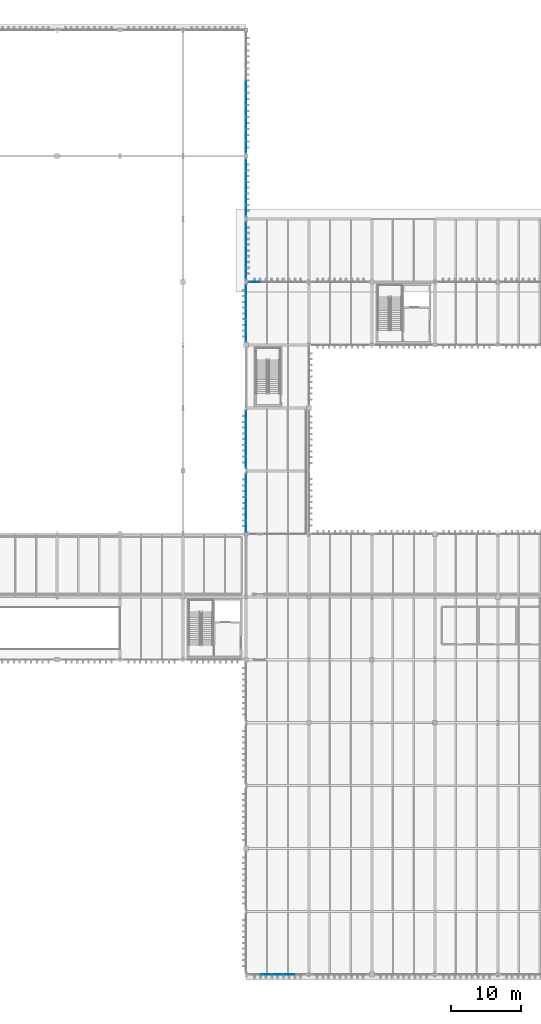
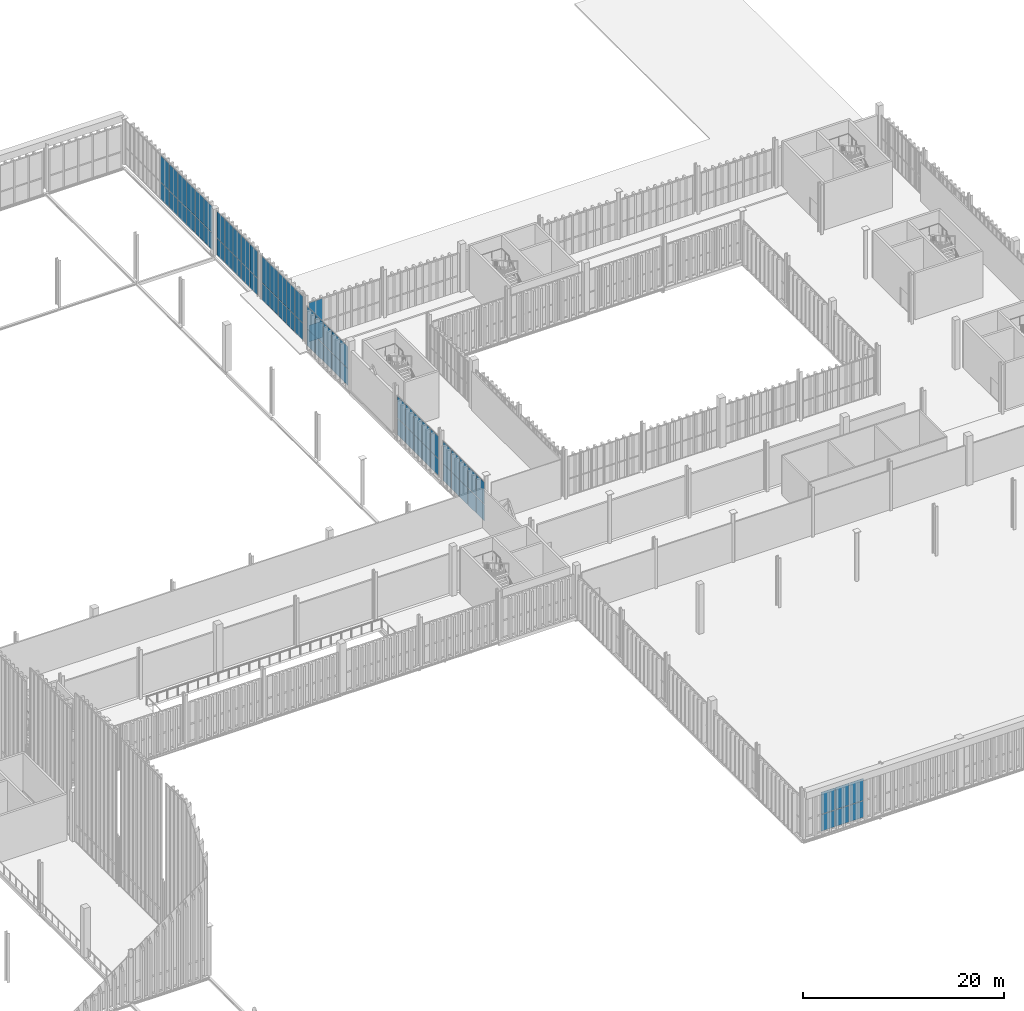
# One storey, part 188 of 237: 70 plates, 8 elements without a shape of their own.
"""IFC4 building model written with IfcOpenShell, lengths in metres."""

import ifcopenshell
import ifcopenshell.guid

model = None  # the IFC model being written
_history = None  # IfcOwnerHistory: only IFC2X3 demands one
_inside = {}  # id of a spatial element -> (the spatial element, [elements in it])
_under = {}  # id of a project, library or spatial element -> (it, [spatial elements below it])
_declared = {}  # id of a project -> (the project, [libraries it declares])
_typed = {}  # id of a type object -> (the type object, [elements of that type])
_made_of = {}  # id of a material, layer set ... -> (it, [elements and type objects made of it])


def new_model(schema):
    """Start an empty IFC model of exactly this schema.

    Asked for "IFC4X3", IfcOpenShell would pick the latest addendum, in which some entities
    have other attributes; the version numbers below select the first issue.
    IFC2X3 requires an IfcOwnerHistory on every rooted entity: one is made here for all.
    """
    global model, _history
    if schema == "IFC4X3":
        model = ifcopenshell.file(schema_version=(4, 3, 0, 0))
    else:
        model = ifcopenshell.file(schema=schema)
    _inside.clear()
    _under.clear()
    _declared.clear()
    _typed.clear()
    _made_of.clear()
    _history = None
    if model.schema == "IFC2X3":
        org = make("IfcOrganization", Name="unknown")
        user = make(
            "IfcPersonAndOrganization",
            ThePerson=make("IfcPerson", FamilyName="unknown"),
            TheOrganization=org,
        )
        app = make(
            "IfcApplication",
            ApplicationDeveloper=org,
            Version="unknown",
            ApplicationFullName="unknown",
            ApplicationIdentifier="unknown",
        )
        _history = make(
            "IfcOwnerHistory",
            OwningUser=user,
            OwningApplication=app,
            ChangeAction="ADDED",
            CreationDate=0,
        )
    return model


def make(cls, **values):
    """One entity of the class cls with the attributes given. An attribute that is None is left unset."""
    return model.create_entity(
        cls, **{name: value for name, value in values.items() if value is not None}
    )


def rooted(cls, **values):
    """An entity with a GlobalId (a new one), such as an element, a storey or a relation."""
    return make(cls, GlobalId=ifcopenshell.guid.new(), OwnerHistory=_history, **values)


def si_unit(unit_type, name, prefix=None):
    """IfcSIUnit, for example si_unit("LENGTHUNIT", "METRE", prefix="MILLI")."""
    return make("IfcSIUnit", UnitType=unit_type, Prefix=prefix, Name=name)


def assignment(units):
    """IfcUnitAssignment: the units of a project."""
    return None if units is None else make("IfcUnitAssignment", Units=units)


def point(xyz):
    """IfcCartesianPoint."""
    return None if xyz is None else make("IfcCartesianPoint", Coordinates=xyz)


def direction(xyz):
    """IfcDirection."""
    return None if xyz is None else make("IfcDirection", DirectionRatios=xyz)


def frame(location, z_axis=None, x_axis=None):
    """IfcAxis2Placement3D, a coordinate frame: its origin and axes. An axis left out is left unset."""
    return make(
        "IfcAxis2Placement3D",
        Location=point(location),
        Axis=direction(z_axis),
        RefDirection=direction(x_axis),
    )


def frame_2d(location, x_axis=None):
    """IfcAxis2Placement2D, a coordinate frame in the plane: its origin and x axis."""
    return make(
        "IfcAxis2Placement2D", Location=point(location), RefDirection=direction(x_axis)
    )


def origin():
    """The frame at (0, 0, 0) with its axes left unset."""
    return frame((0.0, 0.0, 0.0))


def origin_2d():
    """The frame at (0, 0) in the plane with its x axis left unset."""
    return frame_2d((0.0, 0.0))


def place(relative_to, where):
    """IfcLocalPlacement: puts the frame where relative to a parent placement (None: the world)."""
    return make(
        "IfcLocalPlacement", PlacementRelTo=relative_to, RelativePlacement=where
    )


def context(
    kind, dimensions, precision=None, world=None, true_north=None, identifier=None
):
    """IfcGeometricRepresentationContext, for example the 3D "Model" context."""
    return make(
        "IfcGeometricRepresentationContext",
        ContextIdentifier=identifier,
        ContextType=kind,
        CoordinateSpaceDimension=dimensions,
        Precision=precision,
        WorldCoordinateSystem=world,
        TrueNorth=true_north,
    )


def subcontext(parent, identifier, kind, view, scale=None):
    """IfcGeometricRepresentationSubContext, for example "Body" below "Model"."""
    return make(
        "IfcGeometricRepresentationSubContext",
        ContextIdentifier=identifier,
        ContextType=kind,
        ParentContext=parent,
        TargetScale=scale,
        TargetView=view,
    )


def project(units=None, contexts=None):
    """IfcProject with its units and contexts."""
    return rooted(
        "IfcProject",
        Name="project",
        RepresentationContexts=contexts,
        UnitsInContext=assignment(units),
    )


def spatial(cls, under=None, at=None, **own):
    """A site, building, storey or space (cls), placed at a placement, below another one or the project."""
    s = rooted(cls, ObjectPlacement=at, **own)
    if under is not None:
        _under.setdefault(under.id(), (under, []))[1].append(s)
    return s


def profile(cls, at=None, kind="AREA", **sizes):
    """A parametric profile (cls). Its sizes go by their IFC names, for example OverallWidth=200.0."""
    return make(cls, ProfileType=kind, Position=at, **sizes)


def rectangle(**sizes):
    """IfcRectangleProfileDef."""
    return profile("IfcRectangleProfileDef", **sizes)


def extrude(swept, where, along, depth):
    """IfcExtrudedAreaSolid: the profile swept, set in the frame where, extruded along a direction by depth."""
    return make(
        "IfcExtrudedAreaSolid",
        SweptArea=swept,
        Position=where,
        ExtrudedDirection=direction(along),
        Depth=depth,
    )


def shape(context_of_items, identifier, shape_type, items):
    """IfcShapeRepresentation: the items that make up one representation, for example the "Body"."""
    return make(
        "IfcShapeRepresentation",
        ContextOfItems=context_of_items,
        RepresentationIdentifier=identifier,
        RepresentationType=shape_type,
        Items=items,
    )


def material(Name=None, Category=None):
    """IfcMaterial."""
    return make("IfcMaterial", Name=Name, Category=Category)


def layer(
    of_material, thickness, ventilated=None, Name=None, Category=None, Priority=None
):
    """IfcMaterialLayer: one layer of a wall or slab, of a material (None: an air gap)."""
    return make(
        "IfcMaterialLayer",
        Material=of_material,
        LayerThickness=thickness,
        IsVentilated=ventilated,
        Name=Name,
        Category=Category,
        Priority=Priority,
    )


def layer_set(layers, Name=None):
    """IfcMaterialLayerSet."""
    return make("IfcMaterialLayerSet", MaterialLayers=layers, LayerSetName=Name)


def made_of(thing, what):
    """Note that an element or type object is made of a material, layer set ...; save() writes the relation."""
    if what is not None:
        _made_of.setdefault(what.id(), (what, []))[1].append(thing)
    return thing


def type_object(cls, material=None, **own):
    """A type object (cls), such as IfcWallType, which elements share."""
    return made_of(rooted(cls, **own), material)


def element(
    cls,
    number,
    at=None,
    inside=None,
    cuts=None,
    type_object=None,
    material=None,
    context=None,
    identifier="Body",
    shape_type=None,
    held_by="IfcProductDefinitionShape",
    body=None,
    shapes=None,
    **own,
):
    """One element of the class cls, such as IfcWall. Its Tag is "e" and its number.

    at: its placement. inside: the storey or other place that contains it. cuts: it is an
    opening in that element (IfcRelVoidsElement). A single representation is given by context,
    identifier, shape_type and body (its items); several are given by shapes. held_by: the class
    of the entity that holds the representations. save() writes the other relations.
    """
    e = rooted(cls, Tag="e%d" % number, ObjectPlacement=at, **own)
    if body is not None:
        shapes = [shape(context, identifier, shape_type, body)]
    if shapes is not None:
        e.Representation = make(held_by, Representations=shapes)
    if inside is not None:
        _inside.setdefault(inside.id(), (inside, []))[1].append(e)
    if cuts is not None:
        rooted(
            "IfcRelVoidsElement", RelatingBuildingElement=cuts, RelatedOpeningElement=e
        )
    if type_object is not None:
        _typed.setdefault(type_object.id(), (type_object, []))[1].append(e)
    return made_of(e, material)


def aggregate(whole, parts):
    """IfcRelAggregates: a whole, such as a stair, and the parts it consists of."""
    return rooted("IfcRelAggregates", RelatingObject=whole, RelatedObjects=parts)


def save(model, path):
    """Write the relations noted so far, then the file.

    IfcRelAggregates (storeys below a building ...), IfcRelContainedInSpatialStructure (elements
    in a storey), IfcRelDefinesByType, IfcRelAssociatesMaterial and IfcRelDeclares: one each for
    every whole, place, type object, material and project.
    """
    for whole, parts in _under.values():
        aggregate(whole, parts)
    for where, things in _inside.values():
        rooted(
            "IfcRelContainedInSpatialStructure",
            RelatedElements=things,
            RelatingStructure=where,
        )
    for kind, things in _typed.values():
        rooted("IfcRelDefinesByType", RelatedObjects=things, RelatingType=kind)
    for what, things in _made_of.values():
        rooted("IfcRelAssociatesMaterial", RelatedObjects=things, RelatingMaterial=what)
    for by, libraries in _declared.values():
        rooted("IfcRelDeclares", RelatingContext=by, RelatedDefinitions=libraries)
    model.write(path)


model = new_model("IFC4")

# Units and contexts
model_context = context("Model", 3, precision=1e-05, world=origin(), true_north=direction((0.0, 1.0)))
body_context = subcontext(model_context, "Body", "Model", "MODEL_VIEW")
ifc_project = project(units=[si_unit("LENGTHUNIT", "METRE"), si_unit("AREAUNIT", "SQUARE_METRE"), si_unit("VOLUMEUNIT", "CUBIC_METRE"), si_unit("PLANEANGLEUNIT", "RADIAN"), si_unit("MASSUNIT", "GRAM", prefix="KILO")], contexts=[model_context])

# Site, building, storey
site_placement = place(None, origin())
site = spatial("IfcSite", under=ifc_project, at=site_placement, CompositionType="ELEMENT")
building_placement = place(site_placement, origin())
building = spatial("IfcBuilding", under=site, at=building_placement, Name="Barlavento Convention Centre", CompositionType="ELEMENT")
storey_placement = place(building_placement, frame((0.0, 0.0, 12.0)))
storey = spatial("IfcBuildingStorey", under=building, at=storey_placement, Name="L02", CompositionType="ELEMENT", Elevation=12.0)

# Curtain wall, plates
ifc_material_1 = material(Name="Powder-coated aluminium and Low-E glass", Category="aluminium")
ifc_layer_1 = layer(ifc_material_1, 0.18505859375)
ifc_layer_set_1 = layer_set([ifc_layer_1], Name="ARC-CW-EXH-L02")
curtain_wall_type_1 = type_object("IfcCurtainWallType", Name="ARC-CW-EXH-L02", PredefinedType="NOTDEFINED", material=ifc_layer_set_1)
curtain_wall_1_placement = place(storey_placement, origin())
curtain_wall_1 = element("IfcCurtainWall", 1, at=curtain_wall_1_placement, inside=storey, type_object=curtain_wall_type_1, Name="L02 unitised curtain wall CW05", PredefinedType="NOTDEFINED")
ifc_material_2 = material(Name="Double-silver Low-E insulated glass", Category="glass")
ifc_layer_2 = layer(ifc_material_2, 0.028076171875)
ifc_layer_set_2 = layer_set([ifc_layer_2], Name="ARC-CWP-GLZ28")
plate_type_1 = type_object("IfcPlateType", Name="ARC-CWP-GLZ28", PredefinedType="CURTAIN_PANEL", material=ifc_layer_set_2)
plate_1_placement = place(storey_placement, frame((126.0, 100.229248046875, 0.16015625), z_axis=(0.0, 0.0, 1.0), x_axis=(0.0, 1.0, 0.0)))
plate_1 = element("IfcPlate", 2, at=plate_1_placement, type_object=plate_type_1, Name="CW05 panel 1.1", PredefinedType="CURTAIN_PANEL", context=body_context, shape_type="SweptSolid", body=[
    extrude(rectangle(XDim=1.548583984375, YDim=0.028076171875, at=origin_2d()), origin(), (0.0, 0.0, 1.0), 2.010009765625),
])
plate_2_placement = place(storey_placement, frame((126.0, 100.229248046875, 2.22998046875), z_axis=(0.0, 0.0, 1.0), x_axis=(0.0, 1.0, 0.0)))
plate_2 = element("IfcPlate", 3, at=plate_2_placement, type_object=plate_type_1, Name="CW05 panel 1.2", PredefinedType="CURTAIN_PANEL", context=body_context, shape_type="SweptSolid", body=[
    extrude(rectangle(XDim=1.548583984375, YDim=0.028076171875, at=origin_2d()), origin(), (0.0, 0.0, 1.0), 3.2099609375),
])
plate_3_placement = place(storey_placement, frame((126.0, 101.85888671875, 0.16015625), z_axis=(0.0, 0.0, 1.0), x_axis=(0.0, 1.0, 0.0)))
plate_3 = element("IfcPlate", 4, at=plate_3_placement, type_object=plate_type_1, Name="CW05 panel 2.1", PredefinedType="CURTAIN_PANEL", context=body_context, shape_type="SweptSolid", body=[
    extrude(rectangle(XDim=1.5810546875, YDim=0.028076171875, at=origin_2d()), origin(), (0.0, 0.0, 1.0), 2.010009765625),
])
plate_4_placement = place(storey_placement, frame((126.0, 101.85888671875, 2.22998046875), z_axis=(0.0, 0.0, 1.0), x_axis=(0.0, 1.0, 0.0)))
plate_4 = element("IfcPlate", 5, at=plate_4_placement, type_object=plate_type_1, Name="CW05 panel 2.2", PredefinedType="CURTAIN_PANEL", context=body_context, shape_type="SweptSolid", body=[
    extrude(rectangle(XDim=1.5810546875, YDim=0.028076171875, at=origin_2d()), origin(), (0.0, 0.0, 1.0), 3.2099609375),
])
plate_5_placement = place(storey_placement, frame((126.0, 103.5048828125, 0.16015625), z_axis=(0.0, 0.0, 1.0), x_axis=(0.0, 1.0, 0.0)))
plate_5 = element("IfcPlate", 6, at=plate_5_placement, type_object=plate_type_1, Name="CW05 panel 3.1", PredefinedType="CURTAIN_PANEL", context=body_context, shape_type="SweptSolid", body=[
    extrude(rectangle(XDim=1.5810546875, YDim=0.028076171875, at=origin_2d()), origin(), (0.0, 0.0, 1.0), 2.010009765625),
])
plate_6_placement = place(storey_placement, frame((126.0, 103.5048828125, 2.22998046875), z_axis=(0.0, 0.0, 1.0), x_axis=(0.0, 1.0, 0.0)))
plate_6 = element("IfcPlate", 7, at=plate_6_placement, type_object=plate_type_1, Name="CW05 panel 3.2", PredefinedType="CURTAIN_PANEL", context=body_context, shape_type="SweptSolid", body=[
    extrude(rectangle(XDim=1.5810546875, YDim=0.028076171875, at=origin_2d()), origin(), (0.0, 0.0, 1.0), 3.2099609375),
])
plate_7_placement = place(storey_placement, frame((126.0, 105.15087890625, 0.16015625), z_axis=(0.0, 0.0, 1.0), x_axis=(0.0, 1.0, 0.0)))
plate_7 = element("IfcPlate", 8, at=plate_7_placement, type_object=plate_type_1, Name="CW05 panel 4.1", PredefinedType="CURTAIN_PANEL", context=body_context, shape_type="SweptSolid", body=[
    extrude(rectangle(XDim=1.5810546875, YDim=0.028076171875, at=origin_2d()), origin(), (0.0, 0.0, 1.0), 2.010009765625),
])
plate_8_placement = place(storey_placement, frame((126.0, 105.15087890625, 2.22998046875), z_axis=(0.0, 0.0, 1.0), x_axis=(0.0, 1.0, 0.0)))
plate_8 = element("IfcPlate", 9, at=plate_8_placement, type_object=plate_type_1, Name="CW05 panel 4.2", PredefinedType="CURTAIN_PANEL", context=body_context, shape_type="SweptSolid", body=[
    extrude(rectangle(XDim=1.5810546875, YDim=0.028076171875, at=origin_2d()), origin(), (0.0, 0.0, 1.0), 3.2099609375),
])
plate_9_placement = place(storey_placement, frame((126.0, 106.78076171875, 0.16015625), z_axis=(0.0, 0.0, 1.0), x_axis=(0.0, 1.0, 0.0)))
plate_9 = element("IfcPlate", 10, at=plate_9_placement, type_object=plate_type_1, Name="CW05 panel 5.1", PredefinedType="CURTAIN_PANEL", context=body_context, shape_type="SweptSolid", body=[
    extrude(rectangle(XDim=1.548583984375, YDim=0.028076171875, at=origin_2d()), origin(), (0.0, 0.0, 1.0), 2.010009765625),
])
plate_10_placement = place(storey_placement, frame((126.0, 106.78076171875, 2.22998046875), z_axis=(0.0, 0.0, 1.0), x_axis=(0.0, 1.0, 0.0)))
plate_10 = element("IfcPlate", 11, at=plate_10_placement, type_object=plate_type_1, Name="CW05 panel 5.2", PredefinedType="CURTAIN_PANEL", context=body_context, shape_type="SweptSolid", body=[
    extrude(rectangle(XDim=1.548583984375, YDim=0.028076171875, at=origin_2d()), origin(), (0.0, 0.0, 1.0), 3.2099609375),
])
aggregate(curtain_wall_1, [plate_1, plate_2, plate_3, plate_4, plate_5, plate_6, plate_7, plate_8, plate_9, plate_10])

curtain_wall_2_placement = place(storey_placement, origin())
curtain_wall_2 = element("IfcCurtainWall", 12, at=curtain_wall_2_placement, inside=storey, type_object=curtain_wall_type_1, Name="L02 unitised curtain wall CW05", PredefinedType="NOTDEFINED")
plate_11_placement = place(storey_placement, frame((126.0, 109.22021484375, 0.16015625), z_axis=(0.0, 0.0, 1.0), x_axis=(0.0, 1.0, 0.0)))
plate_11 = element("IfcPlate", 13, at=plate_11_placement, type_object=plate_type_1, Name="CW05 panel 1.1", PredefinedType="CURTAIN_PANEL", context=body_context, shape_type="SweptSolid", body=[
    extrude(rectangle(XDim=1.550537109375, YDim=0.028076171875, at=origin_2d()), origin(), (0.0, 0.0, 1.0), 2.010009765625),
])
plate_12_placement = place(storey_placement, frame((126.0, 109.22021484375, 2.22998046875), z_axis=(0.0, 0.0, 1.0), x_axis=(0.0, 1.0, 0.0)))
plate_12 = element("IfcPlate", 14, at=plate_12_placement, type_object=plate_type_1, Name="CW05 panel 1.2", PredefinedType="CURTAIN_PANEL", context=body_context, shape_type="SweptSolid", body=[
    extrude(rectangle(XDim=1.550537109375, YDim=0.028076171875, at=origin_2d()), origin(), (0.0, 0.0, 1.0), 3.2099609375),
])
plate_13_placement = place(storey_placement, frame((126.0, 110.85205078125, 0.16015625), z_axis=(0.0, 0.0, 1.0), x_axis=(0.0, 1.0, 0.0)))
plate_13 = element("IfcPlate", 15, at=plate_13_placement, type_object=plate_type_1, Name="CW05 panel 2.1", PredefinedType="CURTAIN_PANEL", context=body_context, shape_type="SweptSolid", body=[
    extrude(rectangle(XDim=1.5830078125, YDim=0.028076171875, at=origin_2d()), origin(), (0.0, 0.0, 1.0), 2.010009765625),
])
plate_14_placement = place(storey_placement, frame((126.0, 110.85205078125, 2.22998046875), z_axis=(0.0, 0.0, 1.0), x_axis=(0.0, 1.0, 0.0)))
plate_14 = element("IfcPlate", 16, at=plate_14_placement, type_object=plate_type_1, Name="CW05 panel 2.2", PredefinedType="CURTAIN_PANEL", context=body_context, shape_type="SweptSolid", body=[
    extrude(rectangle(XDim=1.5830078125, YDim=0.028076171875, at=origin_2d()), origin(), (0.0, 0.0, 1.0), 3.2099609375),
])
plate_15_placement = place(storey_placement, frame((126.0, 112.5, 0.16015625), z_axis=(0.0, 0.0, 1.0), x_axis=(0.0, 1.0, 0.0)))
plate_15 = element("IfcPlate", 17, at=plate_15_placement, type_object=plate_type_1, Name="CW05 panel 3.1", PredefinedType="CURTAIN_PANEL", context=body_context, shape_type="SweptSolid", body=[
    extrude(rectangle(XDim=1.5830078125, YDim=0.028076171875, at=origin_2d()), origin(), (0.0, 0.0, 1.0), 2.010009765625),
])
plate_16_placement = place(storey_placement, frame((126.0, 112.5, 2.22998046875), z_axis=(0.0, 0.0, 1.0), x_axis=(0.0, 1.0, 0.0)))
plate_16 = element("IfcPlate", 18, at=plate_16_placement, type_object=plate_type_1, Name="CW05 panel 3.2", PredefinedType="CURTAIN_PANEL", context=body_context, shape_type="SweptSolid", body=[
    extrude(rectangle(XDim=1.5830078125, YDim=0.028076171875, at=origin_2d()), origin(), (0.0, 0.0, 1.0), 3.2099609375),
])
plate_17_placement = place(storey_placement, frame((126.0, 114.14794921875, 0.16015625), z_axis=(0.0, 0.0, 1.0), x_axis=(0.0, 1.0, 0.0)))
plate_17 = element("IfcPlate", 19, at=plate_17_placement, type_object=plate_type_1, Name="CW05 panel 4.1", PredefinedType="CURTAIN_PANEL", context=body_context, shape_type="SweptSolid", body=[
    extrude(rectangle(XDim=1.5830078125, YDim=0.028076171875, at=origin_2d()), origin(), (0.0, 0.0, 1.0), 2.010009765625),
])
plate_18_placement = place(storey_placement, frame((126.0, 114.14794921875, 2.22998046875), z_axis=(0.0, 0.0, 1.0), x_axis=(0.0, 1.0, 0.0)))
plate_18 = element("IfcPlate", 20, at=plate_18_placement, type_object=plate_type_1, Name="CW05 panel 4.2", PredefinedType="CURTAIN_PANEL", context=body_context, shape_type="SweptSolid", body=[
    extrude(rectangle(XDim=1.5830078125, YDim=0.028076171875, at=origin_2d()), origin(), (0.0, 0.0, 1.0), 3.2099609375),
])
plate_19_placement = place(storey_placement, frame((126.0, 115.77978515625, 0.16015625), z_axis=(0.0, 0.0, 1.0), x_axis=(0.0, 1.0, 0.0)))
plate_19 = element("IfcPlate", 21, at=plate_19_placement, type_object=plate_type_1, Name="CW05 panel 5.1", PredefinedType="CURTAIN_PANEL", context=body_context, shape_type="SweptSolid", body=[
    extrude(rectangle(XDim=1.550537109375, YDim=0.028076171875, at=origin_2d()), origin(), (0.0, 0.0, 1.0), 2.010009765625),
])
plate_20_placement = place(storey_placement, frame((126.0, 115.77978515625, 2.22998046875), z_axis=(0.0, 0.0, 1.0), x_axis=(0.0, 1.0, 0.0)))
plate_20 = element("IfcPlate", 22, at=plate_20_placement, type_object=plate_type_1, Name="CW05 panel 5.2", PredefinedType="CURTAIN_PANEL", context=body_context, shape_type="SweptSolid", body=[
    extrude(rectangle(XDim=1.550537109375, YDim=0.028076171875, at=origin_2d()), origin(), (0.0, 0.0, 1.0), 3.2099609375),
])
aggregate(curtain_wall_2, [plate_11, plate_12, plate_13, plate_14, plate_15, plate_16, plate_17, plate_18, plate_19, plate_20])

curtain_wall_3_placement = place(storey_placement, origin())
curtain_wall_3 = element("IfcCurtainWall", 23, at=curtain_wall_3_placement, inside=storey, type_object=curtain_wall_type_1, Name="L02 unitised curtain wall CW05", PredefinedType="NOTDEFINED")
plate_21_placement = place(storey_placement, frame((126.0, 118.26318359375, 0.16015625), z_axis=(0.0, 0.0, 1.0), x_axis=(0.0, 1.0, 0.0)))
plate_21 = element("IfcPlate", 24, at=plate_21_placement, type_object=plate_type_1, Name="CW05 panel 1.1", PredefinedType="CURTAIN_PANEL", context=body_context, shape_type="SweptSolid", body=[
    extrude(rectangle(XDim=1.63623046875, YDim=0.028076171875, at=origin_2d()), origin(), (0.0, 0.0, 1.0), 2.010009765625),
])
plate_22_placement = place(storey_placement, frame((126.0, 118.26318359375, 2.22998046875), z_axis=(0.0, 0.0, 1.0), x_axis=(0.0, 1.0, 0.0)))
plate_22 = element("IfcPlate", 25, at=plate_22_placement, type_object=plate_type_1, Name="CW05 panel 1.2", PredefinedType="CURTAIN_PANEL", context=body_context, shape_type="SweptSolid", body=[
    extrude(rectangle(XDim=1.63623046875, YDim=0.028076171875, at=origin_2d()), origin(), (0.0, 0.0, 1.0), 3.2099609375),
])
plate_23_placement = place(storey_placement, frame((126.0, 119.98046875, 0.16015625), z_axis=(0.0, 0.0, 1.0), x_axis=(0.0, 1.0, 0.0)))
plate_23 = element("IfcPlate", 26, at=plate_23_placement, type_object=plate_type_1, Name="CW05 panel 2.1", PredefinedType="CURTAIN_PANEL", context=body_context, shape_type="SweptSolid", body=[
    extrude(rectangle(XDim=1.668701171875, YDim=0.028076171875, at=origin_2d()), origin(), (0.0, 0.0, 1.0), 2.010009765625),
])
plate_24_placement = place(storey_placement, frame((126.0, 119.98046875, 2.22998046875), z_axis=(0.0, 0.0, 1.0), x_axis=(0.0, 1.0, 0.0)))
plate_24 = element("IfcPlate", 27, at=plate_24_placement, type_object=plate_type_1, Name="CW05 panel 2.2", PredefinedType="CURTAIN_PANEL", context=body_context, shape_type="SweptSolid", body=[
    extrude(rectangle(XDim=1.668701171875, YDim=0.028076171875, at=origin_2d()), origin(), (0.0, 0.0, 1.0), 3.2099609375),
])
plate_25_placement = place(storey_placement, frame((126.0, 121.714111328125, 0.16015625), z_axis=(0.0, 0.0, 1.0), x_axis=(0.0, 1.0, 0.0)))
plate_25 = element("IfcPlate", 28, at=plate_25_placement, type_object=plate_type_1, Name="CW05 panel 3.1", PredefinedType="CURTAIN_PANEL", context=body_context, shape_type="SweptSolid", body=[
    extrude(rectangle(XDim=1.668701171875, YDim=0.028076171875, at=origin_2d()), origin(), (0.0, 0.0, 1.0), 2.010009765625),
])
plate_26_placement = place(storey_placement, frame((126.0, 121.714111328125, 2.22998046875), z_axis=(0.0, 0.0, 1.0), x_axis=(0.0, 1.0, 0.0)))
plate_26 = element("IfcPlate", 29, at=plate_26_placement, type_object=plate_type_1, Name="CW05 panel 3.2", PredefinedType="CURTAIN_PANEL", context=body_context, shape_type="SweptSolid", body=[
    extrude(rectangle(XDim=1.668701171875, YDim=0.028076171875, at=origin_2d()), origin(), (0.0, 0.0, 1.0), 3.2099609375),
])
plate_27_placement = place(storey_placement, frame((126.0, 123.447998046875, 0.16015625), z_axis=(0.0, 0.0, 1.0), x_axis=(0.0, 1.0, 0.0)))
plate_27 = element("IfcPlate", 30, at=plate_27_placement, type_object=plate_type_1, Name="CW05 panel 4.1", PredefinedType="CURTAIN_PANEL", context=body_context, shape_type="SweptSolid", body=[
    extrude(rectangle(XDim=1.668701171875, YDim=0.028076171875, at=origin_2d()), origin(), (0.0, 0.0, 1.0), 2.010009765625),
])
plate_28_placement = place(storey_placement, frame((126.0, 123.447998046875, 2.22998046875), z_axis=(0.0, 0.0, 1.0), x_axis=(0.0, 1.0, 0.0)))
plate_28 = element("IfcPlate", 31, at=plate_28_placement, type_object=plate_type_1, Name="CW05 panel 4.2", PredefinedType="CURTAIN_PANEL", context=body_context, shape_type="SweptSolid", body=[
    extrude(rectangle(XDim=1.668701171875, YDim=0.028076171875, at=origin_2d()), origin(), (0.0, 0.0, 1.0), 3.2099609375),
])
plate_29_placement = place(storey_placement, frame((126.0, 125.181640625, 0.16015625), z_axis=(0.0, 0.0, 1.0), x_axis=(0.0, 1.0, 0.0)))
plate_29 = element("IfcPlate", 32, at=plate_29_placement, type_object=plate_type_1, Name="CW05 panel 5.1", PredefinedType="CURTAIN_PANEL", context=body_context, shape_type="SweptSolid", body=[
    extrude(rectangle(XDim=1.668701171875, YDim=0.028076171875, at=origin_2d()), origin(), (0.0, 0.0, 1.0), 2.010009765625),
])
plate_30_placement = place(storey_placement, frame((126.0, 125.181640625, 2.22998046875), z_axis=(0.0, 0.0, 1.0), x_axis=(0.0, 1.0, 0.0)))
plate_30 = element("IfcPlate", 33, at=plate_30_placement, type_object=plate_type_1, Name="CW05 panel 5.2", PredefinedType="CURTAIN_PANEL", context=body_context, shape_type="SweptSolid", body=[
    extrude(rectangle(XDim=1.668701171875, YDim=0.028076171875, at=origin_2d()), origin(), (0.0, 0.0, 1.0), 3.2099609375),
])
plate_31_placement = place(storey_placement, frame((126.0, 126.915283203125, 0.16015625), z_axis=(0.0, 0.0, 1.0), x_axis=(0.0, 1.0, 0.0)))
plate_31 = element("IfcPlate", 34, at=plate_31_placement, type_object=plate_type_1, Name="CW05 panel 6.1", PredefinedType="CURTAIN_PANEL", context=body_context, shape_type="SweptSolid", body=[
    extrude(rectangle(XDim=1.668701171875, YDim=0.028076171875, at=origin_2d()), origin(), (0.0, 0.0, 1.0), 2.010009765625),
])
plate_32_placement = place(storey_placement, frame((126.0, 126.915283203125, 2.22998046875), z_axis=(0.0, 0.0, 1.0), x_axis=(0.0, 1.0, 0.0)))
plate_32 = element("IfcPlate", 35, at=plate_32_placement, type_object=plate_type_1, Name="CW05 panel 6.2", PredefinedType="CURTAIN_PANEL", context=body_context, shape_type="SweptSolid", body=[
    extrude(rectangle(XDim=1.668701171875, YDim=0.028076171875, at=origin_2d()), origin(), (0.0, 0.0, 1.0), 3.2099609375),
])
aggregate(curtain_wall_3, [plate_21, plate_22, plate_23, plate_24, plate_25, plate_26, plate_27, plate_28, plate_29, plate_30, plate_31, plate_32])

ifc_layer_3 = layer(ifc_material_1, 0.195068359375)
ifc_layer_set_3 = layer_set([ifc_layer_3], Name="ARC-CW-BALL-L02")
curtain_wall_type_2 = type_object("IfcCurtainWallType", Name="ARC-CW-BALL-L02", PredefinedType="NOTDEFINED", material=ifc_layer_set_3)
curtain_wall_4_placement = place(storey_placement, origin())
curtain_wall_4 = element("IfcCurtainWall", 36, at=curtain_wall_4_placement, inside=storey, type_object=curtain_wall_type_2, Name="L02 unitised curtain wall CW07", PredefinedType="NOTDEFINED")
plate_33_placement = place(storey_placement, frame((127.219970703125, 99.0, 0.06005859375), z_axis=(0.0, 0.0, 1.0), x_axis=(1.0, 0.0, 0.0)))
plate_33 = element("IfcPlate", 37, at=plate_33_placement, type_object=plate_type_1, Name="CW07 panel 1.1", PredefinedType="CURTAIN_PANEL", context=body_context, shape_type="SweptSolid", body=[
    extrude(rectangle(XDim=1.56005859375, YDim=0.028076171875, at=origin_2d()), origin(), (0.0, 0.0, 1.0), 2.010009765625),
])
plate_34_placement = place(storey_placement, frame((127.219970703125, 99.0, 2.1298828125), z_axis=(0.0, 0.0, 1.0), x_axis=(1.0, 0.0, 0.0)))
plate_34 = element("IfcPlate", 38, at=plate_34_placement, type_object=plate_type_1, Name="CW07 panel 1.2", PredefinedType="CURTAIN_PANEL", context=body_context, shape_type="SweptSolid", body=[
    extrude(rectangle(XDim=1.56005859375, YDim=0.028076171875, at=origin_2d()), origin(), (0.0, 0.0, 1.0), 2.659912109375),
])
aggregate(curtain_wall_4, [plate_33, plate_34])

curtain_wall_5_placement = place(storey_placement, origin())
curtain_wall_5 = element("IfcCurtainWall", 39, at=curtain_wall_5_placement, inside=storey, type_object=curtain_wall_type_2, Name="L02 unitised curtain wall CW07", PredefinedType="NOTDEFINED")
ifc_material_3 = material(Name="Double-silver Low-E acoustic laminated glass", Category="glass")
ifc_layer_4 = layer(ifc_material_3, 0.031982421875)
ifc_layer_set_4 = layer_set([ifc_layer_4], Name="ARC-CWP-GLZ32")
plate_type_2 = type_object("IfcPlateType", Name="ARC-CWP-GLZ32", PredefinedType="CURTAIN_PANEL", material=ifc_layer_set_4)
plate_35_placement = place(storey_placement, frame((126.0, 64.120361328125, 0.06005859375), z_axis=(0.0, 0.0, 1.0), x_axis=(0.0, 1.0, 0.0)))
plate_35 = element("IfcPlate", 40, at=plate_35_placement, type_object=plate_type_2, Name="CW07 panel 1.1", PredefinedType="CURTAIN_PANEL", context=body_context, shape_type="SweptSolid", body=[
    extrude(rectangle(XDim=1.574462890625, YDim=0.031982421875, at=origin_2d()), origin(), (0.0, 0.0, 1.0), 2.010009765625),
])
plate_36_placement = place(storey_placement, frame((126.0, 64.120361328125, 2.1298828125), z_axis=(0.0, 0.0, 1.0), x_axis=(0.0, 1.0, 0.0)))
plate_36 = element("IfcPlate", 41, at=plate_36_placement, type_object=plate_type_2, Name="CW07 panel 1.2", PredefinedType="CURTAIN_PANEL", context=body_context, shape_type="SweptSolid", body=[
    extrude(rectangle(XDim=1.574462890625, YDim=0.031982421875, at=origin_2d()), origin(), (0.0, 0.0, 1.0), 2.659912109375),
])
plate_37_placement = place(storey_placement, frame((126.0, 65.77001953125, 0.06005859375), z_axis=(0.0, 0.0, 1.0), x_axis=(0.0, 1.0, 0.0)))
plate_37 = element("IfcPlate", 42, at=plate_37_placement, type_object=plate_type_2, Name="CW07 panel 2.1", PredefinedType="CURTAIN_PANEL", context=body_context, shape_type="SweptSolid", body=[
    extrude(rectangle(XDim=1.6044921875, YDim=0.031982421875, at=origin_2d()), origin(), (0.0, 0.0, 1.0), 2.010009765625),
])
plate_38_placement = place(storey_placement, frame((126.0, 65.77001953125, 2.1298828125), z_axis=(0.0, 0.0, 1.0), x_axis=(0.0, 1.0, 0.0)))
plate_38 = element("IfcPlate", 43, at=plate_38_placement, type_object=plate_type_2, Name="CW07 panel 2.2", PredefinedType="CURTAIN_PANEL", context=body_context, shape_type="SweptSolid", body=[
    extrude(rectangle(XDim=1.6044921875, YDim=0.031982421875, at=origin_2d()), origin(), (0.0, 0.0, 1.0), 2.659912109375),
])
plate_39_placement = place(storey_placement, frame((126.0, 67.4345703125, 0.06005859375), z_axis=(0.0, 0.0, 1.0), x_axis=(0.0, 1.0, 0.0)))
plate_39 = element("IfcPlate", 44, at=plate_39_placement, type_object=plate_type_2, Name="CW07 panel 3.1", PredefinedType="CURTAIN_PANEL", context=body_context, shape_type="SweptSolid", body=[
    extrude(rectangle(XDim=1.6044921875, YDim=0.031982421875, at=origin_2d()), origin(), (0.0, 0.0, 1.0), 2.010009765625),
])
plate_40_placement = place(storey_placement, frame((126.0, 67.4345703125, 2.1298828125), z_axis=(0.0, 0.0, 1.0), x_axis=(0.0, 1.0, 0.0)))
plate_40 = element("IfcPlate", 45, at=plate_40_placement, type_object=plate_type_2, Name="CW07 panel 3.2", PredefinedType="CURTAIN_PANEL", context=body_context, shape_type="SweptSolid", body=[
    extrude(rectangle(XDim=1.6044921875, YDim=0.031982421875, at=origin_2d()), origin(), (0.0, 0.0, 1.0), 2.659912109375),
])
plate_41_placement = place(storey_placement, frame((126.0, 69.09912109375, 0.06005859375), z_axis=(0.0, 0.0, 1.0), x_axis=(0.0, 1.0, 0.0)))
plate_41 = element("IfcPlate", 46, at=plate_41_placement, type_object=plate_type_2, Name="CW07 panel 4.1", PredefinedType="CURTAIN_PANEL", context=body_context, shape_type="SweptSolid", body=[
    extrude(rectangle(XDim=1.6044921875, YDim=0.031982421875, at=origin_2d()), origin(), (0.0, 0.0, 1.0), 2.010009765625),
])
plate_42_placement = place(storey_placement, frame((126.0, 69.09912109375, 2.1298828125), z_axis=(0.0, 0.0, 1.0), x_axis=(0.0, 1.0, 0.0)))
plate_42 = element("IfcPlate", 47, at=plate_42_placement, type_object=plate_type_2, Name="CW07 panel 4.2", PredefinedType="CURTAIN_PANEL", context=body_context, shape_type="SweptSolid", body=[
    extrude(rectangle(XDim=1.6044921875, YDim=0.031982421875, at=origin_2d()), origin(), (0.0, 0.0, 1.0), 2.659912109375),
])
plate_43_placement = place(storey_placement, frame((126.0, 70.748779296875, 0.06005859375), z_axis=(0.0, 0.0, 1.0), x_axis=(0.0, 1.0, 0.0)))
plate_43 = element("IfcPlate", 48, at=plate_43_placement, type_object=plate_type_2, Name="CW07 panel 5.1", PredefinedType="CURTAIN_PANEL", context=body_context, shape_type="SweptSolid", body=[
    extrude(rectangle(XDim=1.574462890625, YDim=0.031982421875, at=origin_2d()), origin(), (0.0, 0.0, 1.0), 2.010009765625),
])
plate_44_placement = place(storey_placement, frame((126.0, 70.748779296875, 2.1298828125), z_axis=(0.0, 0.0, 1.0), x_axis=(0.0, 1.0, 0.0)))
plate_44 = element("IfcPlate", 49, at=plate_44_placement, type_object=plate_type_2, Name="CW07 panel 5.2", PredefinedType="CURTAIN_PANEL", context=body_context, shape_type="SweptSolid", body=[
    extrude(rectangle(XDim=1.574462890625, YDim=0.031982421875, at=origin_2d()), origin(), (0.0, 0.0, 1.0), 2.659912109375),
])
aggregate(curtain_wall_5, [plate_35, plate_36, plate_37, plate_38, plate_39, plate_40, plate_41, plate_42, plate_43, plate_44])

curtain_wall_6_placement = place(storey_placement, origin())
curtain_wall_6 = element("IfcCurtainWall", 50, at=curtain_wall_6_placement, inside=storey, type_object=curtain_wall_type_2, Name="L02 unitised curtain wall CW07", PredefinedType="NOTDEFINED")
plate_45_placement = place(storey_placement, frame((126.0, 73.245361328125, 0.06005859375), z_axis=(0.0, 0.0, 1.0), x_axis=(0.0, 1.0, 0.0)))
plate_45 = element("IfcPlate", 51, at=plate_45_placement, type_object=plate_type_2, Name="CW07 panel 1.1", PredefinedType="CURTAIN_PANEL", context=body_context, shape_type="SweptSolid", body=[
    extrude(rectangle(XDim=1.562744140625, YDim=0.031982421875, at=origin_2d()), origin(), (0.0, 0.0, 1.0), 2.010009765625),
])
plate_46_placement = place(storey_placement, frame((126.0, 73.245361328125, 2.1298828125), z_axis=(0.0, 0.0, 1.0), x_axis=(0.0, 1.0, 0.0)))
plate_46 = element("IfcPlate", 52, at=plate_46_placement, type_object=plate_type_2, Name="CW07 panel 1.2", PredefinedType="CURTAIN_PANEL", context=body_context, shape_type="SweptSolid", body=[
    extrude(rectangle(XDim=1.562744140625, YDim=0.031982421875, at=origin_2d()), origin(), (0.0, 0.0, 1.0), 2.659912109375),
])
plate_47_placement = place(storey_placement, frame((126.0, 74.88330078125, 0.06005859375), z_axis=(0.0, 0.0, 1.0), x_axis=(0.0, 1.0, 0.0)))
plate_47 = element("IfcPlate", 53, at=plate_47_placement, type_object=plate_type_2, Name="CW07 panel 2.1", PredefinedType="CURTAIN_PANEL", context=body_context, shape_type="SweptSolid", body=[
    extrude(rectangle(XDim=1.5927734375, YDim=0.031982421875, at=origin_2d()), origin(), (0.0, 0.0, 1.0), 2.010009765625),
])
plate_48_placement = place(storey_placement, frame((126.0, 74.88330078125, 2.1298828125), z_axis=(0.0, 0.0, 1.0), x_axis=(0.0, 1.0, 0.0)))
plate_48 = element("IfcPlate", 54, at=plate_48_placement, type_object=plate_type_2, Name="CW07 panel 2.2", PredefinedType="CURTAIN_PANEL", context=body_context, shape_type="SweptSolid", body=[
    extrude(rectangle(XDim=1.5927734375, YDim=0.031982421875, at=origin_2d()), origin(), (0.0, 0.0, 1.0), 2.659912109375),
])
plate_49_placement = place(storey_placement, frame((126.0, 76.535888671875, 0.06005859375), z_axis=(0.0, 0.0, 1.0), x_axis=(0.0, 1.0, 0.0)))
plate_49 = element("IfcPlate", 55, at=plate_49_placement, type_object=plate_type_2, Name="CW07 panel 3.1", PredefinedType="CURTAIN_PANEL", context=body_context, shape_type="SweptSolid", body=[
    extrude(rectangle(XDim=1.5927734375, YDim=0.031982421875, at=origin_2d()), origin(), (0.0, 0.0, 1.0), 2.010009765625),
])
plate_50_placement = place(storey_placement, frame((126.0, 76.535888671875, 2.1298828125), z_axis=(0.0, 0.0, 1.0), x_axis=(0.0, 1.0, 0.0)))
plate_50 = element("IfcPlate", 56, at=plate_50_placement, type_object=plate_type_2, Name="CW07 panel 3.2", PredefinedType="CURTAIN_PANEL", context=body_context, shape_type="SweptSolid", body=[
    extrude(rectangle(XDim=1.5927734375, YDim=0.031982421875, at=origin_2d()), origin(), (0.0, 0.0, 1.0), 2.659912109375),
])
plate_51_placement = place(storey_placement, frame((126.0, 78.188720703125, 0.06005859375), z_axis=(0.0, 0.0, 1.0), x_axis=(0.0, 1.0, 0.0)))
plate_51 = element("IfcPlate", 57, at=plate_51_placement, type_object=plate_type_2, Name="CW07 panel 4.1", PredefinedType="CURTAIN_PANEL", context=body_context, shape_type="SweptSolid", body=[
    extrude(rectangle(XDim=1.5927734375, YDim=0.031982421875, at=origin_2d()), origin(), (0.0, 0.0, 1.0), 2.010009765625),
])
plate_52_placement = place(storey_placement, frame((126.0, 78.188720703125, 2.1298828125), z_axis=(0.0, 0.0, 1.0), x_axis=(0.0, 1.0, 0.0)))
plate_52 = element("IfcPlate", 58, at=plate_52_placement, type_object=plate_type_2, Name="CW07 panel 4.2", PredefinedType="CURTAIN_PANEL", context=body_context, shape_type="SweptSolid", body=[
    extrude(rectangle(XDim=1.5927734375, YDim=0.031982421875, at=origin_2d()), origin(), (0.0, 0.0, 1.0), 2.659912109375),
])
plate_53_placement = place(storey_placement, frame((126.0, 79.82666015625, 0.06005859375), z_axis=(0.0, 0.0, 1.0), x_axis=(0.0, 1.0, 0.0)))
plate_53 = element("IfcPlate", 59, at=plate_53_placement, type_object=plate_type_2, Name="CW07 panel 5.1", PredefinedType="CURTAIN_PANEL", context=body_context, shape_type="SweptSolid", body=[
    extrude(rectangle(XDim=1.562744140625, YDim=0.031982421875, at=origin_2d()), origin(), (0.0, 0.0, 1.0), 2.010009765625),
])
plate_54_placement = place(storey_placement, frame((126.0, 79.82666015625, 2.1298828125), z_axis=(0.0, 0.0, 1.0), x_axis=(0.0, 1.0, 0.0)))
plate_54 = element("IfcPlate", 60, at=plate_54_placement, type_object=plate_type_2, Name="CW07 panel 5.2", PredefinedType="CURTAIN_PANEL", context=body_context, shape_type="SweptSolid", body=[
    extrude(rectangle(XDim=1.562744140625, YDim=0.031982421875, at=origin_2d()), origin(), (0.0, 0.0, 1.0), 2.659912109375),
])
aggregate(curtain_wall_6, [plate_45, plate_46, plate_47, plate_48, plate_49, plate_50, plate_51, plate_52, plate_53, plate_54])

curtain_wall_7_placement = place(storey_placement, origin())
curtain_wall_7 = element("IfcCurtainWall", 61, at=curtain_wall_7_placement, inside=storey, type_object=curtain_wall_type_2, Name="L02 unitised curtain wall CW07", PredefinedType="NOTDEFINED")
plate_55_placement = place(storey_placement, frame((126.0, 91.2548828125, 0.06005859375), z_axis=(0.0, 0.0, 1.0), x_axis=(0.0, 1.0, 0.0)))
plate_55 = element("IfcPlate", 62, at=plate_55_placement, type_object=plate_type_2, Name="CW07 panel 1.1", PredefinedType="CURTAIN_PANEL", context=body_context, shape_type="SweptSolid", body=[
    extrude(rectangle(XDim=1.550048828125, YDim=0.031982421875, at=origin_2d()), origin(), (0.0, 0.0, 1.0), 2.010009765625),
])
plate_56_placement = place(storey_placement, frame((126.0, 91.2548828125, 2.1298828125), z_axis=(0.0, 0.0, 1.0), x_axis=(0.0, 1.0, 0.0)))
plate_56 = element("IfcPlate", 63, at=plate_56_placement, type_object=plate_type_2, Name="CW07 panel 1.2", PredefinedType="CURTAIN_PANEL", context=body_context, shape_type="SweptSolid", body=[
    extrude(rectangle(XDim=1.550048828125, YDim=0.031982421875, at=origin_2d()), origin(), (0.0, 0.0, 1.0), 2.659912109375),
])
plate_57_placement = place(storey_placement, frame((126.0, 92.8798828125, 0.06005859375), z_axis=(0.0, 0.0, 1.0), x_axis=(0.0, 1.0, 0.0)))
plate_57 = element("IfcPlate", 64, at=plate_57_placement, type_object=plate_type_2, Name="CW07 panel 2.1", PredefinedType="CURTAIN_PANEL", context=body_context, shape_type="SweptSolid", body=[
    extrude(rectangle(XDim=1.580078125, YDim=0.031982421875, at=origin_2d()), origin(), (0.0, 0.0, 1.0), 2.010009765625),
])
plate_58_placement = place(storey_placement, frame((126.0, 92.8798828125, 2.1298828125), z_axis=(0.0, 0.0, 1.0), x_axis=(0.0, 1.0, 0.0)))
plate_58 = element("IfcPlate", 65, at=plate_58_placement, type_object=plate_type_2, Name="CW07 panel 2.2", PredefinedType="CURTAIN_PANEL", context=body_context, shape_type="SweptSolid", body=[
    extrude(rectangle(XDim=1.580078125, YDim=0.031982421875, at=origin_2d()), origin(), (0.0, 0.0, 1.0), 2.659912109375),
])
plate_59_placement = place(storey_placement, frame((126.0, 94.52001953125, 0.06005859375), z_axis=(0.0, 0.0, 1.0), x_axis=(0.0, 1.0, 0.0)))
plate_59 = element("IfcPlate", 66, at=plate_59_placement, type_object=plate_type_2, Name="CW07 panel 3.1", PredefinedType="CURTAIN_PANEL", context=body_context, shape_type="SweptSolid", body=[
    extrude(rectangle(XDim=1.580078125, YDim=0.031982421875, at=origin_2d()), origin(), (0.0, 0.0, 1.0), 2.010009765625),
])
plate_60_placement = place(storey_placement, frame((126.0, 94.52001953125, 2.1298828125), z_axis=(0.0, 0.0, 1.0), x_axis=(0.0, 1.0, 0.0)))
plate_60 = element("IfcPlate", 67, at=plate_60_placement, type_object=plate_type_2, Name="CW07 panel 3.2", PredefinedType="CURTAIN_PANEL", context=body_context, shape_type="SweptSolid", body=[
    extrude(rectangle(XDim=1.580078125, YDim=0.031982421875, at=origin_2d()), origin(), (0.0, 0.0, 1.0), 2.659912109375),
])
plate_61_placement = place(storey_placement, frame((126.0, 96.159912109375, 0.06005859375), z_axis=(0.0, 0.0, 1.0), x_axis=(0.0, 1.0, 0.0)))
plate_61 = element("IfcPlate", 68, at=plate_61_placement, type_object=plate_type_2, Name="CW07 panel 4.1", PredefinedType="CURTAIN_PANEL", context=body_context, shape_type="SweptSolid", body=[
    extrude(rectangle(XDim=1.580078125, YDim=0.031982421875, at=origin_2d()), origin(), (0.0, 0.0, 1.0), 2.010009765625),
])
plate_62_placement = place(storey_placement, frame((126.0, 96.159912109375, 2.1298828125), z_axis=(0.0, 0.0, 1.0), x_axis=(0.0, 1.0, 0.0)))
plate_62 = element("IfcPlate", 69, at=plate_62_placement, type_object=plate_type_2, Name="CW07 panel 4.2", PredefinedType="CURTAIN_PANEL", context=body_context, shape_type="SweptSolid", body=[
    extrude(rectangle(XDim=1.580078125, YDim=0.031982421875, at=origin_2d()), origin(), (0.0, 0.0, 1.0), 2.659912109375),
])
plate_63_placement = place(storey_placement, frame((126.0, 97.784912109375, 0.06005859375), z_axis=(0.0, 0.0, 1.0), x_axis=(0.0, 1.0, 0.0)))
plate_63 = element("IfcPlate", 70, at=plate_63_placement, type_object=plate_type_2, Name="CW07 panel 5.1", PredefinedType="CURTAIN_PANEL", context=body_context, shape_type="SweptSolid", body=[
    extrude(rectangle(XDim=1.550048828125, YDim=0.031982421875, at=origin_2d()), origin(), (0.0, 0.0, 1.0), 2.010009765625),
])
plate_64_placement = place(storey_placement, frame((126.0, 97.784912109375, 2.1298828125), z_axis=(0.0, 0.0, 1.0), x_axis=(0.0, 1.0, 0.0)))
plate_64 = element("IfcPlate", 71, at=plate_64_placement, type_object=plate_type_2, Name="CW07 panel 5.2", PredefinedType="CURTAIN_PANEL", context=body_context, shape_type="SweptSolid", body=[
    extrude(rectangle(XDim=1.550048828125, YDim=0.031982421875, at=origin_2d()), origin(), (0.0, 0.0, 1.0), 2.659912109375),
])
aggregate(curtain_wall_7, [plate_55, plate_56, plate_57, plate_58, plate_59, plate_60, plate_61, plate_62, plate_63, plate_64])

curtain_wall_8_placement = place(storey_placement, origin())
curtain_wall_8 = element("IfcCurtainWall", 72, at=curtain_wall_8_placement, inside=storey, type_object=curtain_wall_type_2, Name="L02 unitised curtain wall CW07", PredefinedType="NOTDEFINED")
ifc_material_4 = material(Name="Glazed terracotta spandrel panel", Category="masonry")
ifc_layer_5 = layer(ifc_material_4, 0.044921875)
ifc_layer_set_5 = layer_set([ifc_layer_5], Name="ARC-CWP-TER45")
plate_type_3 = type_object("IfcPlateType", Name="ARC-CWP-TER45", PredefinedType="CURTAIN_PANEL", material=ifc_layer_set_5)
plate_65_placement = place(storey_placement, frame((128.89111328125, 0.0, 0.06494140625), z_axis=(0.0, 0.0, 1.0), x_axis=(1.0, 0.0, 0.0)))
plate_65 = element("IfcPlate", 73, at=plate_65_placement, type_object=plate_type_3, Name="CW07 panel 2.1", PredefinedType="CURTAIN_PANEL", context=body_context, shape_type="SweptSolid", body=[
    extrude(rectangle(XDim=1.57470703125, YDim=0.044921875, at=origin_2d()), origin(), (0.0, 0.0, 1.0), 2.00244140625),
])
plate_66_placement = place(storey_placement, frame((128.89111328125, 0.0, 2.13232421875), z_axis=(0.0, 0.0, 1.0), x_axis=(1.0, 0.0, 0.0)))
plate_66 = element("IfcPlate", 74, at=plate_66_placement, type_object=plate_type_3, Name="CW07 panel 2.2", PredefinedType="CURTAIN_PANEL", context=body_context, shape_type="SweptSolid", body=[
    extrude(rectangle(XDim=1.57470703125, YDim=0.044921875, at=origin_2d()), origin(), (0.0, 0.0, 1.0), 2.652587890625),
])
plate_67_placement = place(storey_placement, frame((130.535888671875, 0.0, 0.06494140625), z_axis=(0.0, 0.0, 1.0), x_axis=(1.0, 0.0, 0.0)))
plate_67 = element("IfcPlate", 75, at=plate_67_placement, type_object=plate_type_3, Name="CW07 panel 3.1", PredefinedType="CURTAIN_PANEL", context=body_context, shape_type="SweptSolid", body=[
    extrude(rectangle(XDim=1.57470703125, YDim=0.044921875, at=origin_2d()), origin(), (0.0, 0.0, 1.0), 2.00244140625),
])
plate_68_placement = place(storey_placement, frame((130.535888671875, 0.0, 2.13232421875), z_axis=(0.0, 0.0, 1.0), x_axis=(1.0, 0.0, 0.0)))
plate_68 = element("IfcPlate", 76, at=plate_68_placement, type_object=plate_type_3, Name="CW07 panel 3.2", PredefinedType="CURTAIN_PANEL", context=body_context, shape_type="SweptSolid", body=[
    extrude(rectangle(XDim=1.57470703125, YDim=0.044921875, at=origin_2d()), origin(), (0.0, 0.0, 1.0), 2.652587890625),
])
plate_69_placement = place(storey_placement, frame((132.180908203125, 0.0, 0.06494140625), z_axis=(0.0, 0.0, 1.0), x_axis=(1.0, 0.0, 0.0)))
plate_69 = element("IfcPlate", 77, at=plate_69_placement, type_object=plate_type_3, Name="CW07 panel 4.1", PredefinedType="CURTAIN_PANEL", context=body_context, shape_type="SweptSolid", body=[
    extrude(rectangle(XDim=1.57470703125, YDim=0.044921875, at=origin_2d()), origin(), (0.0, 0.0, 1.0), 2.00244140625),
])
plate_70_placement = place(storey_placement, frame((132.180908203125, 0.0, 2.13232421875), z_axis=(0.0, 0.0, 1.0), x_axis=(1.0, 0.0, 0.0)))
plate_70 = element("IfcPlate", 78, at=plate_70_placement, type_object=plate_type_3, Name="CW07 panel 4.2", PredefinedType="CURTAIN_PANEL", context=body_context, shape_type="SweptSolid", body=[
    extrude(rectangle(XDim=1.57470703125, YDim=0.044921875, at=origin_2d()), origin(), (0.0, 0.0, 1.0), 2.652587890625),
])
aggregate(curtain_wall_8, [plate_65, plate_66, plate_67, plate_68, plate_69, plate_70])

save(model, "model.ifc")
